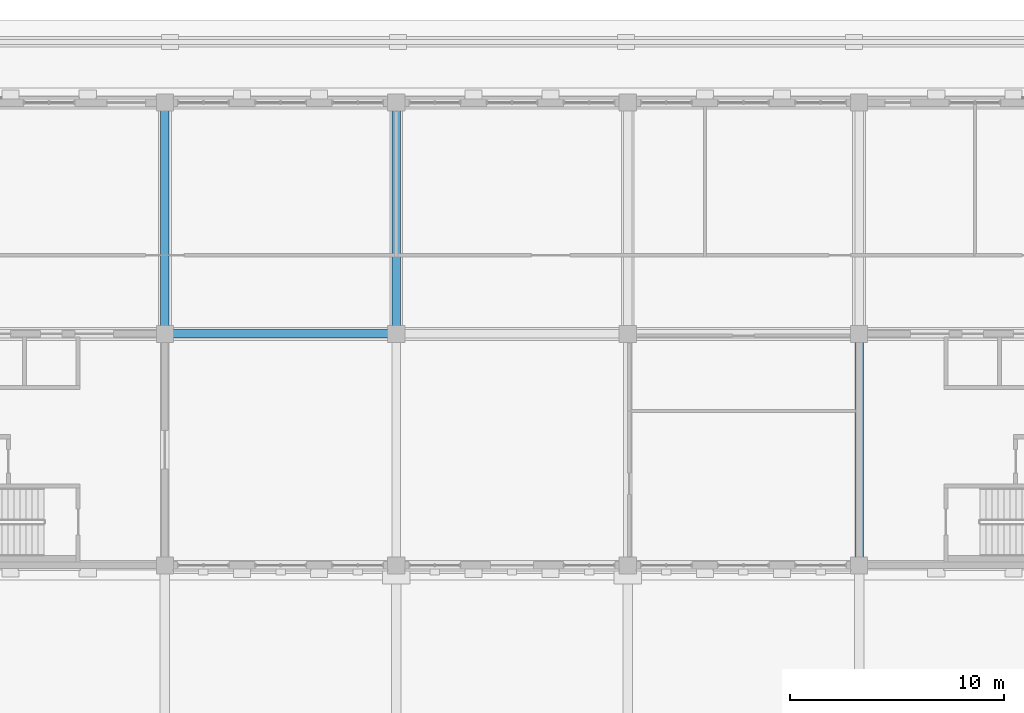
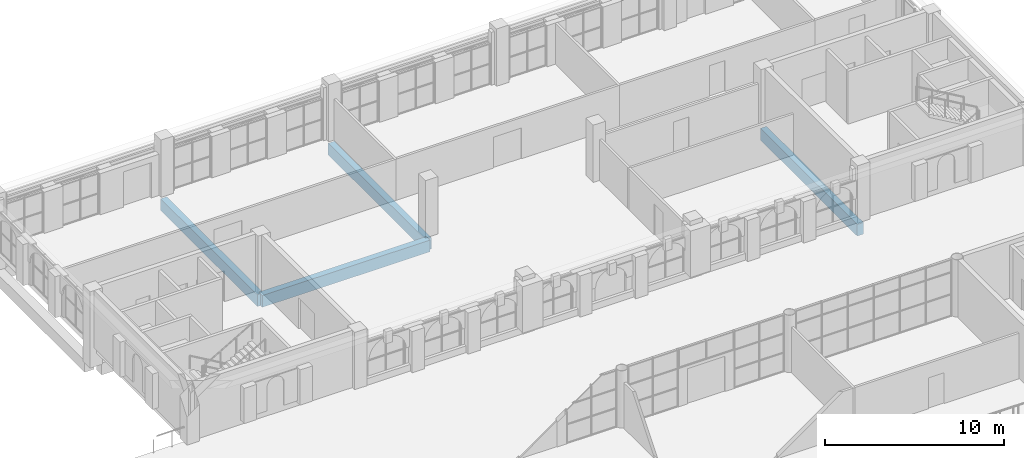
# One storey, part 30 of 95: 4 beams.
"""IFC4 building model written with IfcOpenShell, lengths in metres."""

from ifc_helpers import new_model, si_unit, direction, frame, origin, origin_2d, place, context, subcontext, project, spatial, rectangle, extrude, material, material_profile, profile_set, type_object, element, save


model = new_model("IFC4")

# Units and contexts
model_context = context("Model", 3, precision=1e-05, world=origin(), true_north=direction((0.0, 1.0)))
body_context = subcontext(model_context, "Body", "Model", "MODEL_VIEW")
ifc_project = project(units=[si_unit("LENGTHUNIT", "METRE"), si_unit("AREAUNIT", "SQUARE_METRE"), si_unit("VOLUMEUNIT", "CUBIC_METRE"), si_unit("PLANEANGLEUNIT", "RADIAN"), si_unit("MASSUNIT", "GRAM", prefix="KILO")], contexts=[model_context])

# Site, building, storey
site_placement = place(None, origin())
site = spatial("IfcSite", under=ifc_project, at=site_placement, CompositionType="ELEMENT")
building_placement = place(site_placement, origin())
building = spatial("IfcBuilding", under=site, at=building_placement, Name="Magnolia Steps Interchange", CompositionType="ELEMENT")
storey_placement = place(building_placement, frame((0.0, 0.0, 4.800048828125)))
storey = spatial("IfcBuildingStorey", under=building, at=storey_placement, Name="L01", CompositionType="ELEMENT", Elevation=4.800048828125)

# Beams
ifc_material = material(Name="Concrete C40", Category="concrete")
ifc_material_profile = material_profile(ifc_material, rectangle(XDim=0.39990234375, YDim=0.800048828125, at=origin_2d()), Name="RC400x800")
ifc_profile_set = profile_set([ifc_material_profile], Name="Concrete C40")
beam_type = type_object("IfcBeamType", Name="RC beam 400x800", PredefinedType="BEAM", material=ifc_profile_set)
for number, where, z_axis, x_axis, name in (
    (1, (74.800048828125, 107.199951171875, -0.800048828125), (1.0, 0.0, 0.0), (0.0, 1.0, 0.0), "Beam L01 J 7-8"),
    (2, (107.199951171875, 96.39990234375, -0.800048828125), (0.0, 1.0, 0.0), (-1.0, 0.0, 0.0), "Beam L01 10 I-J"),
    (3, (74.800048828125, 107.199951171875, -0.800048828125), (0.0, 1.0, 0.0), (-1.0, 0.0, 0.0), "Beam L01 7 J-K"),
    (4, (85.60009765625, 107.199951171875, -0.800048828125), (0.0, 1.0, 0.0), (-1.0, 0.0, 0.0), "Beam L01 8 J-K"),
):
    element("IfcBeam", number, at=place(storey_placement, frame(where, z_axis=z_axis, x_axis=x_axis)), inside=storey, type_object=beam_type, Name=name, PredefinedType="BEAM", context=body_context, shape_type="SweptSolid", body=[
        extrude(rectangle(XDim=0.39990234375, YDim=0.800048828125, at=origin_2d()), origin(), (0.0, 0.0, 1.0), 10.800048828125),
    ])

save(model, "model.ifc")
